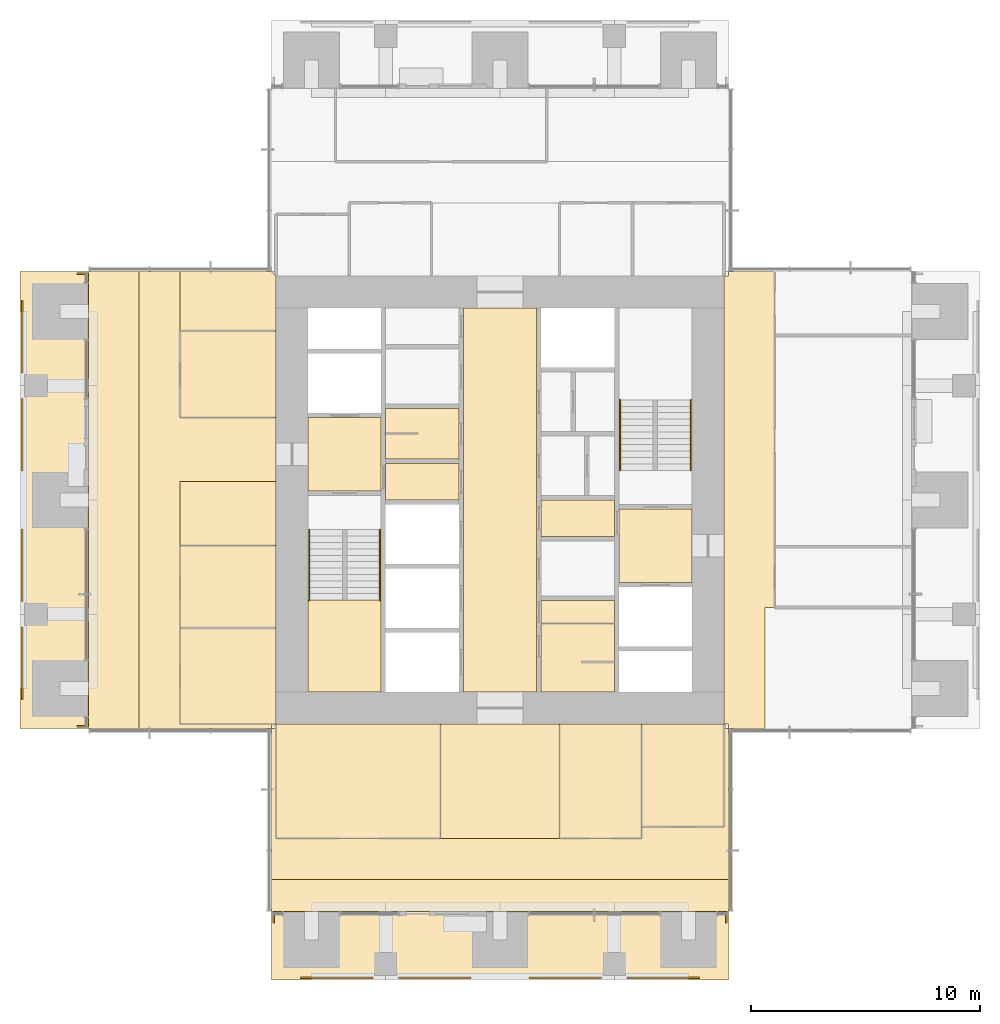
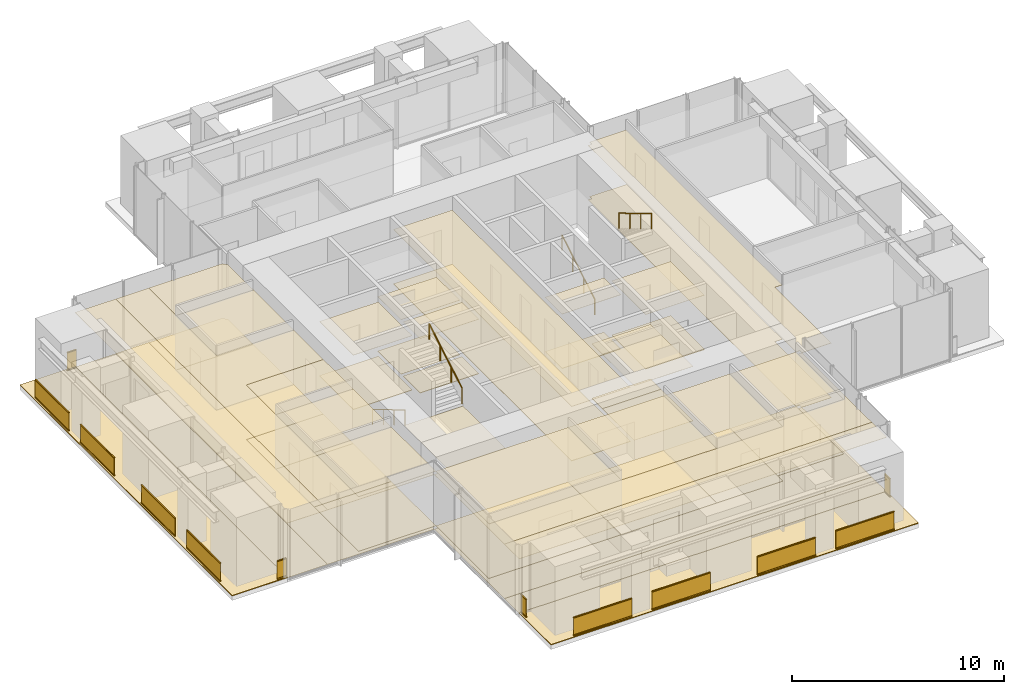
# One storey, part 15 of 17: 47 coverings, 16 railings.
"""IFC4 building model written with IfcOpenShell, lengths in metres."""

from ifc_helpers import new_model, si_unit, direction, frame, origin, origin_2d, place, context, subcontext, project, spatial, polyline, rectangle, circle, outline, extrude, material, layer, layer_set, type_object, element, save


model = new_model("IFC4")

# Units and contexts
model_context = context("Model", 3, precision=1e-05, world=origin(), true_north=direction((0.0, 1.0)))
body_context = subcontext(model_context, "Body", "Model", "MODEL_VIEW")
ifc_project = project(units=[si_unit("LENGTHUNIT", "METRE"), si_unit("AREAUNIT", "SQUARE_METRE"), si_unit("VOLUMEUNIT", "CUBIC_METRE"), si_unit("PLANEANGLEUNIT", "RADIAN"), si_unit("MASSUNIT", "GRAM", prefix="KILO")], contexts=[model_context])

# Site, building, storey
site_placement = place(None, origin())
site = spatial("IfcSite", under=ifc_project, at=site_placement, CompositionType="ELEMENT")
building_placement = place(site_placement, origin())
building = spatial("IfcBuilding", under=site, at=building_placement, Name="Svetlomir Tower", CompositionType="ELEMENT")
storey_placement = place(building_placement, frame((0.0, 0.0, 182.5)))
storey = spatial("IfcBuildingStorey", under=building, at=storey_placement, Name="L43", CompositionType="ELEMENT", Elevation=182.5)

# Railings
ifc_material_1 = material(Name="Bronze anodised aluminium and laminated glass", Category="aluminium")
railing_type_1 = type_object("IfcRailingType", Name="BALCONY GUARD GR1 1100", PredefinedType="GUARDRAIL", material=ifc_material_1)
for number, where, name in (
    (1, (12.27490234375, 0.10009765625, 0.0), "Loggia guard S L43 bay 1"),
    (2, (16.550048828125, 0.10009765625, 0.0), "Loggia guard S L43 bay 2"),
    (3, (22.27490234375, 0.10009765625, 0.0), "Loggia guard S L43 bay 3"),
    (4, (26.550048828125, 0.10009765625, 0.0), "Loggia guard S L43 bay 4"),
):
    element("IfcRailing", number, at=place(storey_placement, frame(where)), inside=storey, type_object=railing_type_1, Name=name, PredefinedType="GUARDRAIL", context=body_context, shape_type="SweptSolid", body=[
        extrude(rectangle(XDim=0.06005859375, YDim=0.10009765625, at=origin_2d()), frame((0.0, 0.0, 0.050048828125), z_axis=(1.0, 0.0, 0.0), x_axis=(0.0, 1.0, 0.0)), (0.0, 0.0, 1.0), 3.175048828125),
        extrude(rectangle(XDim=0.021484375, YDim=0.960205078125, at=origin_2d()), frame((0.0, 0.0, 0.580078125), z_axis=(1.0, 0.0, 0.0), x_axis=(0.0, 1.0, 0.0)), (0.0, 0.0, 1.0), 3.175048828125),
        extrude(rectangle(XDim=0.06005859375, YDim=0.0400390625, at=origin_2d()), frame((0.0, 0.0, 1.080078125), z_axis=(1.0, 0.0, 0.0), x_axis=(0.0, 1.0, 0.0)), (0.0, 0.0, 1.0), 3.175048828125),
    ])
for number, where, name in (
    (5, (11.10009765625, 2.5, 0.0), "Loggia guard S L43 end 1"),
    (6, (30.89990234375, 2.5, 0.0), "Loggia guard S L43 end 2"),
):
    element("IfcRailing", number, at=place(storey_placement, frame(where)), inside=storey, type_object=railing_type_1, Name=name, PredefinedType="GUARDRAIL", context=body_context, shape_type="SweptSolid", body=[
        extrude(rectangle(XDim=0.06005859375, YDim=0.10009765625, at=origin_2d()), frame((0.0, 0.0, 0.050048828125), z_axis=(0.0, 1.0, 0.0), x_axis=(-1.0, 0.0, 0.0)), (0.0, 0.0, 1.0), 0.5),
        extrude(rectangle(XDim=0.021484375, YDim=0.960205078125, at=origin_2d()), frame((0.0, 0.0, 0.580078125), z_axis=(0.0, 1.0, 0.0), x_axis=(-1.0, 0.0, 0.0)), (0.0, 0.0, 1.0), 0.5),
        extrude(rectangle(XDim=0.06005859375, YDim=0.0400390625, at=origin_2d()), frame((0.0, 0.0, 1.080078125), z_axis=(0.0, 1.0, 0.0), x_axis=(-1.0, 0.0, 0.0)), (0.0, 0.0, 1.0), 0.5),
    ])
for number, where, name in (
    (7, (0.10009765625, 12.27490234375, 0.0), "Loggia guard W L43 bay 1"),
    (8, (0.10009765625, 16.550048828125, 0.0), "Loggia guard W L43 bay 2"),
    (9, (0.10009765625, 22.27490234375, 0.0), "Loggia guard W L43 bay 3"),
    (10, (0.10009765625, 26.550048828125, 0.0), "Loggia guard W L43 bay 4"),
):
    element("IfcRailing", number, at=place(storey_placement, frame(where)), inside=storey, type_object=railing_type_1, Name=name, PredefinedType="GUARDRAIL", context=body_context, shape_type="SweptSolid", body=[
        extrude(rectangle(XDim=0.06005859375, YDim=0.10009765625, at=origin_2d()), frame((0.0, 0.0, 0.050048828125), z_axis=(0.0, 1.0, 0.0), x_axis=(-1.0, 0.0, 0.0)), (0.0, 0.0, 1.0), 3.175048828125),
        extrude(rectangle(XDim=0.021484375, YDim=0.960205078125, at=origin_2d()), frame((0.0, 0.0, 0.580078125), z_axis=(0.0, 1.0, 0.0), x_axis=(-1.0, 0.0, 0.0)), (0.0, 0.0, 1.0), 3.175048828125),
        extrude(rectangle(XDim=0.06005859375, YDim=0.0400390625, at=origin_2d()), frame((0.0, 0.0, 1.080078125), z_axis=(0.0, 1.0, 0.0), x_axis=(-1.0, 0.0, 0.0)), (0.0, 0.0, 1.0), 3.175048828125),
    ])
for number, where, name in (
    (11, (2.5, 11.10009765625, 0.0), "Loggia guard W L43 end 1"),
    (12, (2.5, 30.89990234375, 0.0), "Loggia guard W L43 end 2"),
):
    element("IfcRailing", number, at=place(storey_placement, frame(where)), inside=storey, type_object=railing_type_1, Name=name, PredefinedType="GUARDRAIL", context=body_context, shape_type="SweptSolid", body=[
        extrude(rectangle(XDim=0.06005859375, YDim=0.10009765625, at=origin_2d()), frame((0.0, 0.0, 0.050048828125), z_axis=(1.0, 0.0, 0.0), x_axis=(0.0, 1.0, 0.0)), (0.0, 0.0, 1.0), 0.5),
        extrude(rectangle(XDim=0.021484375, YDim=0.960205078125, at=origin_2d()), frame((0.0, 0.0, 0.580078125), z_axis=(1.0, 0.0, 0.0), x_axis=(0.0, 1.0, 0.0)), (0.0, 0.0, 1.0), 0.5),
        extrude(rectangle(XDim=0.06005859375, YDim=0.0400390625, at=origin_2d()), frame((0.0, 0.0, 1.080078125), z_axis=(1.0, 0.0, 0.0), x_axis=(0.0, 1.0, 0.0)), (0.0, 0.0, 1.0), 0.5),
    ])

# Coverings
ifc_material_2 = material(Name="Granite paving slabs on pedestals", Category="masonry")
ifc_layer_1 = layer(ifc_material_2, 0.0400390625)
ifc_layer_set_1 = layer_set([ifc_layer_1], Name="Granite paving slabs on pedestals")
covering_type_1 = type_object("IfcCoveringType", Name="BALCONY PAVING 40", PredefinedType="USERDEFINED", material=ifc_layer_set_1)
covering_1_placement = place(storey_placement, origin())
element("IfcCovering", 13, at=covering_1_placement, inside=storey, type_object=covering_type_1, Name="Loggia paving S L43", ObjectType="BALCONY PAVING", PredefinedType="USERDEFINED", context=body_context, shape_type="SweptSolid", body=[
    extrude(outline(polyline([(11.0, 0.0), (31.0, 0.0), (31.0, 3.0), (11.0, 3.0), (11.0, 0.0)])), origin(), (0.0, 0.0, 1.0), 0.0400390625),
])
covering_2_placement = place(storey_placement, origin())
element("IfcCovering", 14, at=covering_2_placement, inside=storey, type_object=covering_type_1, Name="Loggia paving W L43", ObjectType="BALCONY PAVING", PredefinedType="USERDEFINED", context=body_context, shape_type="SweptSolid", body=[
    extrude(outline(polyline([(0.0, 11.0), (3.0, 11.0), (3.0, 31.0), (0.0, 31.0), (0.0, 11.0)])), origin(), (0.0, 0.0, 1.0), 0.0400390625),
])
ifc_material_3 = material(Name="Carpet tile", Category="textile")
ifc_layer_2 = layer(ifc_material_3, 0.010009765625)
ifc_layer_set_2 = layer_set([ifc_layer_2], Name="Carpet tile")
covering_type_2 = type_object("IfcCoveringType", Name="CARPET TILE FLOOR 10", PredefinedType="FLOORING", material=ifc_layer_set_2)
covering_3_placement = place(storey_placement, origin())
element("IfcCovering", 15, at=covering_3_placement, inside=storey, type_object=covering_type_2, Name="Floor finish L43-18", PredefinedType="FLOORING", context=body_context, shape_type="SweptSolid", body=[
    extrude(outline(polyline([(11.199951171875, 6.199951171875), (18.39990234375, 6.199951171875), (18.39990234375, 11.199951171875), (11.199951171875, 11.199951171875), (11.199951171875, 6.199951171875)])), origin(), (0.0, 0.0, 1.0), 0.010009765625),
])
covering_4_placement = place(storey_placement, origin())
element("IfcCovering", 16, at=covering_4_placement, inside=storey, type_object=covering_type_2, Name="Floor finish L43-19", PredefinedType="FLOORING", context=body_context, shape_type="SweptSolid", body=[
    extrude(outline(polyline([(23.60009765625, 6.199951171875), (27.199951171875, 6.199951171875), (27.199951171875, 11.199951171875), (23.60009765625, 11.199951171875), (23.60009765625, 6.199951171875)])), origin(), (0.0, 0.0, 1.0), 0.010009765625),
])
covering_5_placement = place(storey_placement, origin())
element("IfcCovering", 17, at=covering_5_placement, inside=storey, type_object=covering_type_2, Name="Floor finish L43-20", PredefinedType="FLOORING", context=body_context, shape_type="SweptSolid", body=[
    extrude(outline(polyline([(27.199951171875, 6.699951171875), (30.800048828125, 6.699951171875), (30.800048828125, 11.199951171875), (27.199951171875, 11.199951171875), (27.199951171875, 6.699951171875)])), origin(), (0.0, 0.0, 1.0), 0.010009765625),
])
covering_6_placement = place(storey_placement, origin())
element("IfcCovering", 18, at=covering_6_placement, inside=storey, type_object=covering_type_2, Name="Floor finish L43-29", PredefinedType="FLOORING", context=body_context, shape_type="SweptSolid", body=[
    extrude(outline(polyline([(7.0, 11.199951171875), (11.199951171875, 11.199951171875), (11.199951171875, 15.39990234375), (7.0, 15.39990234375), (7.0, 11.199951171875)])), origin(), (0.0, 0.0, 1.0), 0.010009765625),
])
covering_7_placement = place(storey_placement, origin())
element("IfcCovering", 19, at=covering_7_placement, inside=storey, type_object=covering_type_2, Name="Floor finish L43-30", PredefinedType="FLOORING", context=body_context, shape_type="SweptSolid", body=[
    extrude(outline(polyline([(7.0, 15.39990234375), (11.199951171875, 15.39990234375), (11.199951171875, 19.0), (7.0, 19.0), (7.0, 15.39990234375)])), origin(), (0.0, 0.0, 1.0), 0.010009765625),
])
covering_8_placement = place(storey_placement, origin())
element("IfcCovering", 20, at=covering_8_placement, inside=storey, type_object=covering_type_2, Name="Floor finish L43-31", PredefinedType="FLOORING", context=body_context, shape_type="SweptSolid", body=[
    extrude(outline(polyline([(7.0, 24.60009765625), (11.199951171875, 24.60009765625), (11.199951171875, 28.39990234375), (7.0, 28.39990234375), (7.0, 24.60009765625)])), origin(), (0.0, 0.0, 1.0), 0.010009765625),
])
covering_9_placement = place(storey_placement, origin())
element("IfcCovering", 21, at=covering_9_placement, inside=storey, type_object=covering_type_2, Name="Floor finish L43-32", PredefinedType="FLOORING", context=body_context, shape_type="SweptSolid", body=[
    extrude(outline(polyline([(5.199951171875, 11.0), (5.199951171875, 31.0), (7.0, 31.0), (7.0, 24.60009765625), (11.199951171875, 24.60009765625), (11.199951171875, 21.800048828125), (7.0, 21.800048828125), (7.0, 11.199951171875), (11.0, 11.199951171875), (11.0, 11.0), (5.199951171875, 11.0)])), origin(), (0.0, 0.0, 1.0), 0.010009765625),
])
covering_10_placement = place(storey_placement, origin())
element("IfcCovering", 22, at=covering_10_placement, inside=storey, type_object=covering_type_2, Name="Floor finish L43-33", PredefinedType="FLOORING", context=body_context, shape_type="SweptSolid", body=[
    extrude(outline(polyline([(11.199951171875, 6.199951171875), (27.199951171875, 6.199951171875), (27.199951171875, 6.699951171875), (30.800048828125, 6.699951171875), (30.800048828125, 11.0), (31.0, 11.0), (31.0, 4.39990234375), (11.0, 4.39990234375), (11.0, 11.0), (11.199951171875, 11.0), (11.199951171875, 6.199951171875)])), origin(), (0.0, 0.0, 1.0), 0.010009765625),
])
covering_11_placement = place(storey_placement, origin())
element("IfcCovering", 23, at=covering_11_placement, inside=storey, type_object=covering_type_2, Name="Floor finish L43-34", PredefinedType="FLOORING", context=body_context, shape_type="SweptSolid", body=[
    extrude(outline(polyline([(30.800048828125, 11.199951171875), (30.800048828125, 30.800048828125), (31.0, 30.800048828125), (31.0, 31.0), (33.0, 31.0), (33.0, 16.300048828125), (32.60009765625, 16.300048828125), (32.60009765625, 11.0), (31.0, 11.0), (31.0, 11.199951171875), (30.800048828125, 11.199951171875)])), origin(), (0.0, 0.0, 1.0), 0.010009765625),
])
covering_12_placement = place(storey_placement, origin())
element("IfcCovering", 24, at=covering_12_placement, inside=storey, type_object=covering_type_2, Name="Floor finish L43-36", PredefinedType="FLOORING", context=body_context, shape_type="SweptSolid", body=[
    extrude(outline(polyline([(11.0, 3.0), (11.0, 4.39990234375), (31.0, 4.39990234375), (31.0, 3.0), (11.0, 3.0)])), origin(), (0.0, 0.0, 1.0), 0.010009765625),
])
covering_13_placement = place(storey_placement, origin())
element("IfcCovering", 25, at=covering_13_placement, inside=storey, type_object=covering_type_2, Name="Floor finish L43-37", PredefinedType="FLOORING", context=body_context, shape_type="SweptSolid", body=[
    extrude(outline(polyline([(23.60009765625, 11.199951171875), (23.60009765625, 6.199951171875), (18.39990234375, 6.199951171875), (18.39990234375, 11.199951171875), (23.60009765625, 11.199951171875)])), origin(), (0.0, 0.0, 1.0), 0.010009765625),
])
covering_14_placement = place(storey_placement, origin())
element("IfcCovering", 26, at=covering_14_placement, inside=storey, type_object=covering_type_2, Name="Floor finish L43-42", PredefinedType="FLOORING", context=body_context, shape_type="SweptSolid", body=[
    extrude(outline(polyline([(3.0, 31.0), (5.199951171875, 31.0), (5.199951171875, 11.0), (3.0, 11.0), (3.0, 31.0)])), origin(), (0.0, 0.0, 1.0), 0.010009765625),
])
covering_15_placement = place(storey_placement, origin())
element("IfcCovering", 27, at=covering_15_placement, inside=storey, type_object=covering_type_2, Name="Floor finish L43-43", PredefinedType="FLOORING", context=body_context, shape_type="SweptSolid", body=[
    extrude(outline(polyline([(11.199951171875, 28.39990234375), (7.0, 28.39990234375), (7.0, 31.0), (11.0, 31.0), (11.199951171875, 30.800048828125), (11.199951171875, 28.39990234375)])), origin(), (0.0, 0.0, 1.0), 0.010009765625),
])
covering_16_placement = place(storey_placement, origin())
element("IfcCovering", 28, at=covering_16_placement, inside=storey, type_object=covering_type_2, Name="Floor finish L43-44", PredefinedType="FLOORING", context=body_context, shape_type="SweptSolid", body=[
    extrude(outline(polyline([(7.0, 19.0), (7.0, 21.800048828125), (11.199951171875, 21.800048828125), (11.199951171875, 19.0), (7.0, 19.0)])), origin(), (0.0, 0.0, 1.0), 0.010009765625),
])
ifc_material_4 = material(Name="Ceramic floor tile", Category="ceramic")
ifc_layer_3 = layer(ifc_material_4, 0.014892578125)
ifc_layer_set_3 = layer_set([ifc_layer_3], Name="Ceramic floor tile")
covering_type_3 = type_object("IfcCoveringType", Name="CERAMIC TILE FLOOR 15", PredefinedType="FLOORING", material=ifc_layer_set_3)
covering_17_placement = place(storey_placement, origin())
element("IfcCovering", 29, at=covering_17_placement, inside=storey, type_object=covering_type_3, Name="Floor finish L43-04", PredefinedType="FLOORING", context=body_context, shape_type="SweptSolid", body=[
    extrude(outline(polyline([(16.0, 22.800048828125), (19.199951171875, 22.800048828125), (19.199951171875, 25.0), (16.0, 25.0), (16.0, 22.800048828125)])), origin(), (0.0, 0.0, 1.0), 0.014892578125),
])
covering_18_placement = place(storey_placement, origin())
element("IfcCovering", 30, at=covering_18_placement, inside=storey, type_object=covering_type_3, Name="Floor finish L43-08", PredefinedType="FLOORING", context=body_context, shape_type="SweptSolid", body=[
    extrude(outline(polyline([(22.800048828125, 15.60009765625), (26.0, 15.60009765625), (26.0, 16.60009765625), (22.800048828125, 16.60009765625), (22.800048828125, 15.60009765625)])), origin(), (0.0, 0.0, 1.0), 0.014892578125),
])
covering_19_placement = place(storey_placement, origin())
element("IfcCovering", 31, at=covering_19_placement, inside=storey, type_object=covering_type_3, Name="Floor finish L43-09", PredefinedType="FLOORING", context=body_context, shape_type="SweptSolid", body=[
    extrude(outline(polyline([(22.800048828125, 12.60009765625), (26.0, 12.60009765625), (26.0, 15.60009765625), (22.800048828125, 15.60009765625), (22.800048828125, 12.60009765625)])), origin(), (0.0, 0.0, 1.0), 0.014892578125),
])

# Railings
ifc_material_5 = material(Name="Stainless steel", Category="steel")
railing_type_2 = type_object("IfcRailingType", Name="HANDRAIL HR1 900", PredefinedType="HANDRAIL", material=ifc_material_5)
railing_1_placement = place(storey_placement, frame((12.64990234375, 19.699951171875, 0.166748046875)))
element("IfcRailing", 32, at=railing_1_placement, inside=storey, type_object=railing_type_2, Name="Handrail S1 flight 1 L43", PredefinedType="HANDRAIL", context=body_context, shape_type="SweptSolid", body=[
    extrude(circle(Radius=0.02392578125, at=origin_2d()), frame((0.0, 0.0, 0.8759765625), z_axis=(0.0, -0.859290745958, 0.51148745235), x_axis=(1.0, 0.0, 0.0)), (0.0, 0.0, 1.0), 3.584228515625),
    extrude(circle(Radius=0.02099609375, at=origin_2d()), origin(), (0.0, 0.0, 1.0), 0.851806640625),
    extrude(circle(Radius=0.02099609375, at=origin_2d()), frame((0.0, -1.026611328125, 0.611083984375)), (0.0, 0.0, 1.0), 0.851806640625),
    extrude(circle(Radius=0.02099609375, at=origin_2d()), frame((0.0, -2.05322265625, 1.22216796875)), (0.0, 0.0, 1.0), 0.851806640625),
    extrude(circle(Radius=0.02099609375, at=origin_2d()), frame((0.0, -3.079833984375, 1.833251953125)), (0.0, 0.0, 1.0), 0.851806640625),
])
for number, where, name in (
    (33, (15.75, 16.6201171875, 2.166748046875), "Handrail S1 flight 2 L43"),
    (34, (26.25, 22.300048828125, 0.166748046875), "Handrail S2 flight 1 L43"),
):
    element("IfcRailing", number, at=place(storey_placement, frame(where)), inside=storey, type_object=railing_type_2, Name=name, PredefinedType="HANDRAIL", context=body_context, shape_type="SweptSolid", body=[
        extrude(circle(Radius=0.02392578125, at=origin_2d()), frame((0.0, 0.0, 0.8759765625), z_axis=(0.0, 0.859290745958, 0.51148745235), x_axis=(-1.0, 0.0, 0.0)), (0.0, 0.0, 1.0), 3.584228515625),
        extrude(circle(Radius=0.02099609375, at=origin_2d()), origin(), (0.0, 0.0, 1.0), 0.851806640625),
        extrude(circle(Radius=0.02099609375, at=origin_2d()), frame((0.0, 1.026611328125, 0.611083984375)), (0.0, 0.0, 1.0), 0.851806640625),
        extrude(circle(Radius=0.02099609375, at=origin_2d()), frame((0.0, 2.05322265625, 1.22216796875)), (0.0, 0.0, 1.0), 0.851806640625),
        extrude(circle(Radius=0.02099609375, at=origin_2d()), frame((0.0, 3.079833984375, 1.833251953125)), (0.0, 0.0, 1.0), 0.851806640625),
    ])
railing_2_placement = place(storey_placement, frame((29.35009765625, 25.3798828125, 2.166748046875)))
element("IfcRailing", 35, at=railing_2_placement, inside=storey, type_object=railing_type_2, Name="Handrail S2 flight 2 L43", PredefinedType="HANDRAIL", context=body_context, shape_type="SweptSolid", body=[
    extrude(circle(Radius=0.02392578125, at=origin_2d()), frame((0.0, 0.0, 0.8759765625), z_axis=(0.0, -0.859290745958, 0.51148745235), x_axis=(1.0, 0.0, 0.0)), (0.0, 0.0, 1.0), 3.584228515625),
    extrude(circle(Radius=0.02099609375, at=origin_2d()), origin(), (0.0, 0.0, 1.0), 0.851806640625),
    extrude(circle(Radius=0.02099609375, at=origin_2d()), frame((0.0, -1.026611328125, 0.611083984375)), (0.0, 0.0, 1.0), 0.851806640625),
    extrude(circle(Radius=0.02099609375, at=origin_2d()), frame((0.0, -2.05322265625, 1.22216796875)), (0.0, 0.0, 1.0), 0.851806640625),
    extrude(circle(Radius=0.02099609375, at=origin_2d()), frame((0.0, -3.079833984375, 1.833251953125)), (0.0, 0.0, 1.0), 0.851806640625),
])

# Coverings
ifc_material_6 = material(Name="Moisture resistant plasterboard ceiling", Category="gypsum")
ifc_layer_4 = layer(ifc_material_6, 0.012451171875)
ifc_layer_set_4 = layer_set([ifc_layer_4], Name="Moisture resistant plasterboard ceiling")
covering_type_4 = type_object("IfcCoveringType", Name="MOISTURE RESISTANT CEILING 12.5", PredefinedType="CEILING", material=ifc_layer_set_4)
covering_20_placement = place(storey_placement, frame((0.0, 0.0, 3.137451171875)))
element("IfcCovering", 36, at=covering_20_placement, inside=storey, type_object=covering_type_4, Name="Ceiling L43-04", PredefinedType="CEILING", context=body_context, shape_type="SweptSolid", body=[
    extrude(outline(polyline([(16.0, 22.800048828125), (19.199951171875, 22.800048828125), (19.199951171875, 25.0), (16.0, 25.0), (16.0, 22.800048828125)])), origin(), (0.0, 0.0, 1.0), 0.012451171875),
])
covering_21_placement = place(storey_placement, frame((0.0, 0.0, 3.137451171875)))
element("IfcCovering", 37, at=covering_21_placement, inside=storey, type_object=covering_type_4, Name="Ceiling L43-08", PredefinedType="CEILING", context=body_context, shape_type="SweptSolid", body=[
    extrude(outline(polyline([(22.800048828125, 15.60009765625), (26.0, 15.60009765625), (26.0, 16.60009765625), (22.800048828125, 16.60009765625), (22.800048828125, 15.60009765625)])), origin(), (0.0, 0.0, 1.0), 0.012451171875),
])
covering_22_placement = place(storey_placement, frame((0.0, 0.0, 3.137451171875)))
element("IfcCovering", 38, at=covering_22_placement, inside=storey, type_object=covering_type_4, Name="Ceiling L43-09", PredefinedType="CEILING", context=body_context, shape_type="SweptSolid", body=[
    extrude(outline(polyline([(22.800048828125, 12.60009765625), (26.0, 12.60009765625), (26.0, 15.60009765625), (22.800048828125, 15.60009765625), (22.800048828125, 12.60009765625)])), origin(), (0.0, 0.0, 1.0), 0.012451171875),
])
ifc_material_7 = material(Name="Gypsum plasterboard ceiling", Category="gypsum")
ifc_layer_5 = layer(ifc_material_7, 0.014892578125)
ifc_layer_set_5 = layer_set([ifc_layer_5], Name="Gypsum plasterboard ceiling")
covering_type_5 = type_object("IfcCoveringType", Name="PLASTERBOARD CEILING 15", PredefinedType="CEILING", material=ifc_layer_set_5)
covering_23_placement = place(storey_placement, frame((0.0, 0.0, 3.135009765625)))
element("IfcCovering", 39, at=covering_23_placement, inside=storey, type_object=covering_type_5, Name="Ceiling L43-02", PredefinedType="CEILING", context=body_context, shape_type="SweptSolid", body=[
    extrude(outline(polyline([(12.60009765625, 21.39990234375), (15.800048828125, 21.39990234375), (15.800048828125, 24.60009765625), (12.60009765625, 24.60009765625), (12.60009765625, 21.39990234375)])), origin(), (0.0, 0.0, 1.0), 0.014892578125),
])
covering_24_placement = place(storey_placement, frame((0.0, 0.0, 3.135009765625)))
element("IfcCovering", 40, at=covering_24_placement, inside=storey, type_object=covering_type_5, Name="Ceiling L43-03", PredefinedType="CEILING", context=body_context, shape_type="SweptSolid", body=[
    extrude(outline(polyline([(16.0, 21.0), (19.199951171875, 21.0), (19.199951171875, 22.60009765625), (16.0, 22.60009765625), (16.0, 21.0)])), origin(), (0.0, 0.0, 1.0), 0.014892578125),
])
covering_25_placement = place(storey_placement, frame((0.0, 0.0, 3.135009765625)))
element("IfcCovering", 41, at=covering_25_placement, inside=storey, type_object=covering_type_5, Name="Ceiling L43-07", PredefinedType="CEILING", context=body_context, shape_type="SweptSolid", body=[
    extrude(outline(polyline([(19.39990234375, 12.60009765625), (22.60009765625, 12.60009765625), (22.60009765625, 29.39990234375), (19.39990234375, 29.39990234375), (19.39990234375, 12.60009765625)])), origin(), (0.0, 0.0, 1.0), 0.014892578125),
])
covering_26_placement = place(storey_placement, frame((0.0, 0.0, 3.135009765625)))
element("IfcCovering", 42, at=covering_26_placement, inside=storey, type_object=covering_type_5, Name="Ceiling L43-11", PredefinedType="CEILING", context=body_context, shape_type="SweptSolid", body=[
    extrude(outline(polyline([(22.800048828125, 19.39990234375), (26.0, 19.39990234375), (26.0, 21.0), (22.800048828125, 21.0), (22.800048828125, 19.39990234375)])), origin(), (0.0, 0.0, 1.0), 0.014892578125),
])
covering_27_placement = place(storey_placement, frame((0.0, 0.0, 3.135009765625)))
element("IfcCovering", 43, at=covering_27_placement, inside=storey, type_object=covering_type_5, Name="Ceiling L43-12", PredefinedType="CEILING", context=body_context, shape_type="SweptSolid", body=[
    extrude(outline(polyline([(26.199951171875, 17.39990234375), (29.39990234375, 17.39990234375), (29.39990234375, 20.60009765625), (26.199951171875, 20.60009765625), (26.199951171875, 17.39990234375)])), origin(), (0.0, 0.0, 1.0), 0.014892578125),
])
ifc_material_8 = material(Name="Studded rubber floor finish", Category="rubber")
ifc_layer_6 = layer(ifc_material_8, 0.006103515625)
ifc_layer_set_6 = layer_set([ifc_layer_6], Name="Studded rubber floor finish")
covering_type_6 = type_object("IfcCoveringType", Name="RUBBER LANDING FINISH 6", PredefinedType="FLOORING", material=ifc_layer_set_6)
covering_28_placement = place(storey_placement, frame((0.0, 0.0, 2.0)))
element("IfcCovering", 44, at=covering_28_placement, inside=storey, type_object=covering_type_6, Name="Stair S1 landing finish L43", PredefinedType="FLOORING", context=body_context, shape_type="SweptSolid", body=[
    extrude(outline(polyline([(12.60009765625, 12.60009765625), (15.800048828125, 12.60009765625), (15.800048828125, 16.6201171875), (12.60009765625, 16.6201171875), (12.60009765625, 12.60009765625)])), origin(), (0.0, 0.0, 1.0), 0.006103515625),
])
ifc_material_9 = material(Name="Mineral fibre ceiling tile", Category="mineral")
ifc_layer_7 = layer(ifc_material_9, 0.02001953125)
ifc_layer_set_7 = layer_set([ifc_layer_7], Name="Mineral fibre ceiling tile")
covering_type_7 = type_object("IfcCoveringType", Name="SUSPENDED CEILING 20", PredefinedType="CEILING", material=ifc_layer_set_7)
covering_29_placement = place(storey_placement, frame((0.0, 0.0, 3.1298828125)))
element("IfcCovering", 45, at=covering_29_placement, inside=storey, type_object=covering_type_7, Name="Ceiling L43-18", PredefinedType="CEILING", context=body_context, shape_type="SweptSolid", body=[
    extrude(outline(polyline([(11.199951171875, 6.199951171875), (18.39990234375, 6.199951171875), (18.39990234375, 11.199951171875), (11.199951171875, 11.199951171875), (11.199951171875, 6.199951171875)])), origin(), (0.0, 0.0, 1.0), 0.02001953125),
])
covering_30_placement = place(storey_placement, frame((0.0, 0.0, 3.1298828125)))
element("IfcCovering", 46, at=covering_30_placement, inside=storey, type_object=covering_type_7, Name="Ceiling L43-19", PredefinedType="CEILING", context=body_context, shape_type="SweptSolid", body=[
    extrude(outline(polyline([(23.60009765625, 6.199951171875), (27.199951171875, 6.199951171875), (27.199951171875, 11.199951171875), (23.60009765625, 11.199951171875), (23.60009765625, 6.199951171875)])), origin(), (0.0, 0.0, 1.0), 0.02001953125),
])
covering_31_placement = place(storey_placement, frame((0.0, 0.0, 3.1298828125)))
element("IfcCovering", 47, at=covering_31_placement, inside=storey, type_object=covering_type_7, Name="Ceiling L43-20", PredefinedType="CEILING", context=body_context, shape_type="SweptSolid", body=[
    extrude(outline(polyline([(27.199951171875, 6.699951171875), (30.800048828125, 6.699951171875), (30.800048828125, 11.199951171875), (27.199951171875, 11.199951171875), (27.199951171875, 6.699951171875)])), origin(), (0.0, 0.0, 1.0), 0.02001953125),
])
covering_32_placement = place(storey_placement, frame((0.0, 0.0, 3.1298828125)))
element("IfcCovering", 48, at=covering_32_placement, inside=storey, type_object=covering_type_7, Name="Ceiling L43-29", PredefinedType="CEILING", context=body_context, shape_type="SweptSolid", body=[
    extrude(outline(polyline([(7.0, 11.199951171875), (11.199951171875, 11.199951171875), (11.199951171875, 15.39990234375), (7.0, 15.39990234375), (7.0, 11.199951171875)])), origin(), (0.0, 0.0, 1.0), 0.02001953125),
])
covering_33_placement = place(storey_placement, frame((0.0, 0.0, 3.1298828125)))
element("IfcCovering", 49, at=covering_33_placement, inside=storey, type_object=covering_type_7, Name="Ceiling L43-30", PredefinedType="CEILING", context=body_context, shape_type="SweptSolid", body=[
    extrude(outline(polyline([(7.0, 15.39990234375), (11.199951171875, 15.39990234375), (11.199951171875, 19.0), (7.0, 19.0), (7.0, 15.39990234375)])), origin(), (0.0, 0.0, 1.0), 0.02001953125),
])
covering_34_placement = place(storey_placement, frame((0.0, 0.0, 3.1298828125)))
element("IfcCovering", 50, at=covering_34_placement, inside=storey, type_object=covering_type_7, Name="Ceiling L43-31", PredefinedType="CEILING", context=body_context, shape_type="SweptSolid", body=[
    extrude(outline(polyline([(7.0, 24.60009765625), (11.199951171875, 24.60009765625), (11.199951171875, 28.39990234375), (7.0, 28.39990234375), (7.0, 24.60009765625)])), origin(), (0.0, 0.0, 1.0), 0.02001953125),
])
covering_35_placement = place(storey_placement, frame((0.0, 0.0, 3.1298828125)))
element("IfcCovering", 51, at=covering_35_placement, inside=storey, type_object=covering_type_7, Name="Ceiling L43-32", PredefinedType="CEILING", context=body_context, shape_type="SweptSolid", body=[
    extrude(outline(polyline([(5.199951171875, 11.0), (5.199951171875, 31.0), (7.0, 31.0), (7.0, 24.60009765625), (11.199951171875, 24.60009765625), (11.199951171875, 21.800048828125), (7.0, 21.800048828125), (7.0, 11.199951171875), (11.0, 11.199951171875), (11.0, 11.0), (5.199951171875, 11.0)])), origin(), (0.0, 0.0, 1.0), 0.02001953125),
])
covering_36_placement = place(storey_placement, frame((0.0, 0.0, 3.1298828125)))
element("IfcCovering", 52, at=covering_36_placement, inside=storey, type_object=covering_type_7, Name="Ceiling L43-33", PredefinedType="CEILING", context=body_context, shape_type="SweptSolid", body=[
    extrude(outline(polyline([(11.199951171875, 6.199951171875), (27.199951171875, 6.199951171875), (27.199951171875, 6.699951171875), (30.800048828125, 6.699951171875), (30.800048828125, 11.0), (31.0, 11.0), (31.0, 4.39990234375), (11.0, 4.39990234375), (11.0, 11.0), (11.199951171875, 11.0), (11.199951171875, 6.199951171875)])), origin(), (0.0, 0.0, 1.0), 0.02001953125),
])
covering_37_placement = place(storey_placement, frame((0.0, 0.0, 3.1298828125)))
element("IfcCovering", 53, at=covering_37_placement, inside=storey, type_object=covering_type_7, Name="Ceiling L43-34", PredefinedType="CEILING", context=body_context, shape_type="SweptSolid", body=[
    extrude(outline(polyline([(30.800048828125, 11.199951171875), (30.800048828125, 30.800048828125), (31.0, 30.800048828125), (31.0, 31.0), (33.0, 31.0), (33.0, 16.300048828125), (32.60009765625, 16.300048828125), (32.60009765625, 11.0), (31.0, 11.0), (31.0, 11.199951171875), (30.800048828125, 11.199951171875)])), origin(), (0.0, 0.0, 1.0), 0.02001953125),
])
covering_38_placement = place(storey_placement, frame((0.0, 0.0, 3.1298828125)))
element("IfcCovering", 54, at=covering_38_placement, inside=storey, type_object=covering_type_7, Name="Ceiling L43-36", PredefinedType="CEILING", context=body_context, shape_type="SweptSolid", body=[
    extrude(outline(polyline([(11.0, 3.0), (11.0, 4.39990234375), (31.0, 4.39990234375), (31.0, 3.0), (11.0, 3.0)])), origin(), (0.0, 0.0, 1.0), 0.02001953125),
])
covering_39_placement = place(storey_placement, frame((0.0, 0.0, 3.1298828125)))
element("IfcCovering", 55, at=covering_39_placement, inside=storey, type_object=covering_type_7, Name="Ceiling L43-37", PredefinedType="CEILING", context=body_context, shape_type="SweptSolid", body=[
    extrude(outline(polyline([(23.60009765625, 11.199951171875), (23.60009765625, 6.199951171875), (18.39990234375, 6.199951171875), (18.39990234375, 11.199951171875), (23.60009765625, 11.199951171875)])), origin(), (0.0, 0.0, 1.0), 0.02001953125),
])
covering_40_placement = place(storey_placement, frame((0.0, 0.0, 3.1298828125)))
element("IfcCovering", 56, at=covering_40_placement, inside=storey, type_object=covering_type_7, Name="Ceiling L43-42", PredefinedType="CEILING", context=body_context, shape_type="SweptSolid", body=[
    extrude(outline(polyline([(3.0, 31.0), (5.199951171875, 31.0), (5.199951171875, 11.0), (3.0, 11.0), (3.0, 31.0)])), origin(), (0.0, 0.0, 1.0), 0.02001953125),
])
covering_41_placement = place(storey_placement, frame((0.0, 0.0, 3.1298828125)))
element("IfcCovering", 57, at=covering_41_placement, inside=storey, type_object=covering_type_7, Name="Ceiling L43-43", PredefinedType="CEILING", context=body_context, shape_type="SweptSolid", body=[
    extrude(outline(polyline([(11.199951171875, 28.39990234375), (7.0, 28.39990234375), (7.0, 31.0), (11.0, 31.0), (11.199951171875, 30.800048828125), (11.199951171875, 28.39990234375)])), origin(), (0.0, 0.0, 1.0), 0.02001953125),
])
covering_42_placement = place(storey_placement, frame((0.0, 0.0, 3.1298828125)))
element("IfcCovering", 58, at=covering_42_placement, inside=storey, type_object=covering_type_7, Name="Ceiling L43-44", PredefinedType="CEILING", context=body_context, shape_type="SweptSolid", body=[
    extrude(outline(polyline([(7.0, 19.0), (7.0, 21.800048828125), (11.199951171875, 21.800048828125), (11.199951171875, 19.0), (7.0, 19.0)])), origin(), (0.0, 0.0, 1.0), 0.02001953125),
])
ifc_material_10 = material(Name="Bronze-aggregate terrazzo", Category="stone")
ifc_layer_8 = layer(ifc_material_10, 0.030029296875)
ifc_layer_set_8 = layer_set([ifc_layer_8], Name="Bronze-aggregate terrazzo")
covering_type_8 = type_object("IfcCoveringType", Name="TERRAZZO FLOOR 30", PredefinedType="FLOORING", material=ifc_layer_set_8)
covering_43_placement = place(storey_placement, origin())
element("IfcCovering", 59, at=covering_43_placement, inside=storey, type_object=covering_type_8, Name="Floor finish L43-02", PredefinedType="FLOORING", context=body_context, shape_type="SweptSolid", body=[
    extrude(outline(polyline([(12.60009765625, 21.39990234375), (15.800048828125, 21.39990234375), (15.800048828125, 24.60009765625), (12.60009765625, 24.60009765625), (12.60009765625, 21.39990234375)])), origin(), (0.0, 0.0, 1.0), 0.030029296875),
])
covering_44_placement = place(storey_placement, origin())
element("IfcCovering", 60, at=covering_44_placement, inside=storey, type_object=covering_type_8, Name="Floor finish L43-03", PredefinedType="FLOORING", context=body_context, shape_type="SweptSolid", body=[
    extrude(outline(polyline([(16.0, 21.0), (19.199951171875, 21.0), (19.199951171875, 22.60009765625), (16.0, 22.60009765625), (16.0, 21.0)])), origin(), (0.0, 0.0, 1.0), 0.030029296875),
])
covering_45_placement = place(storey_placement, origin())
element("IfcCovering", 61, at=covering_45_placement, inside=storey, type_object=covering_type_8, Name="Floor finish L43-07", PredefinedType="FLOORING", context=body_context, shape_type="SweptSolid", body=[
    extrude(outline(polyline([(19.39990234375, 12.60009765625), (22.60009765625, 12.60009765625), (22.60009765625, 29.39990234375), (19.39990234375, 29.39990234375), (19.39990234375, 12.60009765625)])), origin(), (0.0, 0.0, 1.0), 0.030029296875),
])
covering_46_placement = place(storey_placement, origin())
element("IfcCovering", 62, at=covering_46_placement, inside=storey, type_object=covering_type_8, Name="Floor finish L43-11", PredefinedType="FLOORING", context=body_context, shape_type="SweptSolid", body=[
    extrude(outline(polyline([(22.800048828125, 19.39990234375), (26.0, 19.39990234375), (26.0, 21.0), (22.800048828125, 21.0), (22.800048828125, 19.39990234375)])), origin(), (0.0, 0.0, 1.0), 0.030029296875),
])
covering_47_placement = place(storey_placement, origin())
element("IfcCovering", 63, at=covering_47_placement, inside=storey, type_object=covering_type_8, Name="Floor finish L43-12", PredefinedType="FLOORING", context=body_context, shape_type="SweptSolid", body=[
    extrude(outline(polyline([(26.199951171875, 17.39990234375), (29.39990234375, 17.39990234375), (29.39990234375, 20.60009765625), (26.199951171875, 20.60009765625), (26.199951171875, 17.39990234375)])), origin(), (0.0, 0.0, 1.0), 0.030029296875),
])

save(model, "model.ifc")
